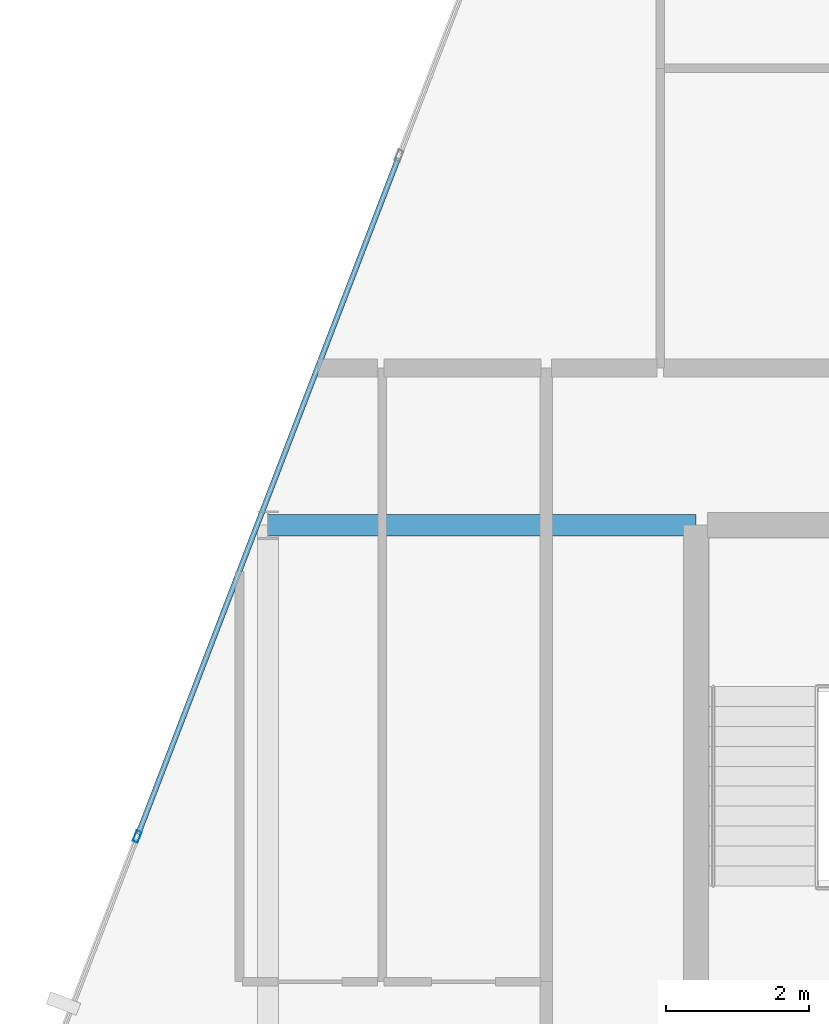
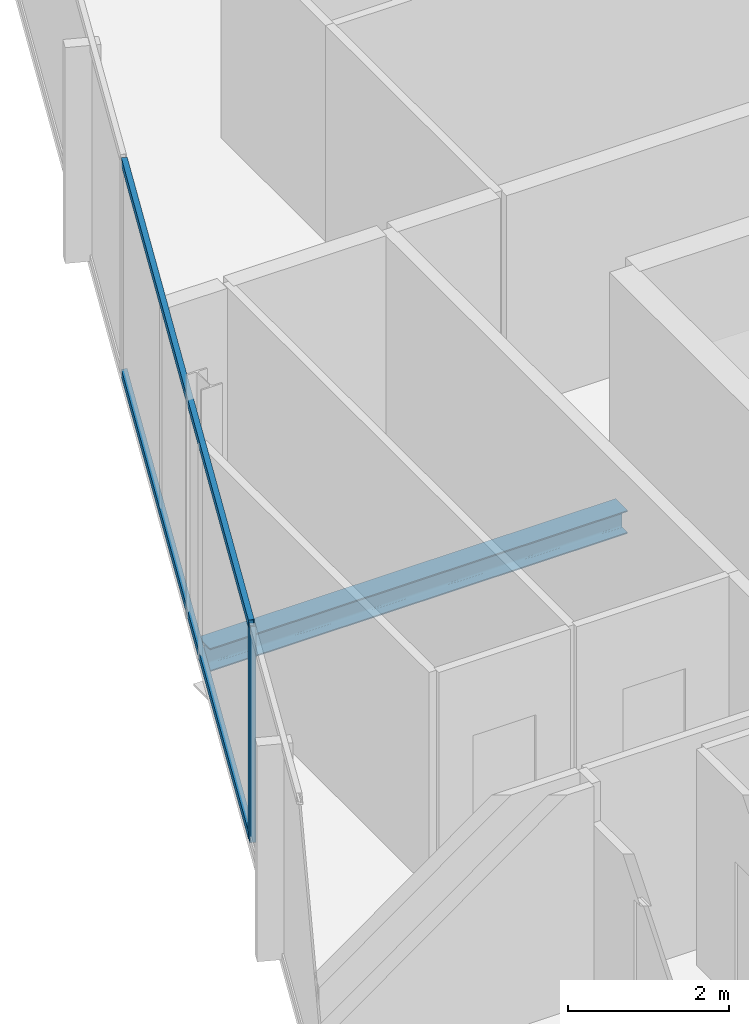
# One storey, part 10 of 27: 3 members, 1 beam, 1 element without a shape of its own.
"""IFC4 building model written with IfcOpenShell, lengths in metres."""

from ifc_helpers import new_model, si_unit, direction, frame, origin, origin_2d, place, context, subcontext, project, spatial, hollow_rectangle, i_section, extrude, material, layer, layer_set, material_profile, profile_set, type_object, element, aggregate, save


model = new_model("IFC4")

# Units and contexts
model_context = context("Model", 3, precision=1e-05, world=origin(), true_north=direction((0.0, 1.0)))
body_context = subcontext(model_context, "Body", "Model", "MODEL_VIEW")
ifc_project = project(units=[si_unit("LENGTHUNIT", "METRE"), si_unit("AREAUNIT", "SQUARE_METRE"), si_unit("VOLUMEUNIT", "CUBIC_METRE"), si_unit("PLANEANGLEUNIT", "RADIAN"), si_unit("MASSUNIT", "GRAM", prefix="KILO")], contexts=[model_context])

# Site, building, storey
site_placement = place(None, origin())
site = spatial("IfcSite", under=ifc_project, at=site_placement, CompositionType="ELEMENT")
building_placement = place(site_placement, origin())
building = spatial("IfcBuilding", under=site, at=building_placement, Name="Keshet Zoharim Tower", CompositionType="ELEMENT")
storey_placement = place(building_placement, frame((0.0, 0.0, 311.0)))
storey = spatial("IfcBuildingStorey", under=building, at=storey_placement, Name="L78", CompositionType="ELEMENT", Elevation=311.0)

# Beam
ifc_material_1 = material(Name="Steel S355", Category="steel")
ifc_material_profile_1 = material_profile(ifc_material_1, i_section(OverallWidth=0.300048828125, OverallDepth=0.35009765625, WebThickness=0.010009765625, FlangeThickness=0.017578125, FilletRadius=0.027099609375, at=origin_2d()), Name="HEA360")
ifc_profile_set_1 = profile_set([ifc_material_profile_1], Name="Steel S355")
beam_type = type_object("IfcBeamType", Name="BM-PRI-HA360", PredefinedType="BEAM", material=ifc_profile_set_1)
beam_placement = place(storey_placement, frame((9.0, 37.89990234375, -0.485107421875), z_axis=(1.0, 0.0, 0.0), x_axis=(0.0, 1.0, 0.0)))
element("IfcBeam", 1, at=beam_placement, inside=storey, type_object=beam_type, Name="L78 Primary Girder X-008", PredefinedType="BEAM", context=body_context, shape_type="SweptSolid", body=[
    extrude(i_section(OverallWidth=0.300048828125, OverallDepth=0.35009765625, WebThickness=0.010009765625, FlangeThickness=0.017578125, FilletRadius=0.027099609375, at=origin_2d()), origin(), (0.0, 0.0, 1.0), 6.0),
])

# Curtain wall, members
ifc_material_2 = material(Name="Aluminium 6063-T6", Category="aluminium")
ifc_layer = layer(ifc_material_2, 0.260009765625)
ifc_layer_set = layer_set([ifc_layer], Name="Aluminium 6063-T6")
curtain_wall_type = type_object("IfcCurtainWallType", Name="CW-SYS-06", PredefinedType="NOTDEFINED", material=ifc_layer_set)
curtain_wall_placement = place(storey_placement, origin())
curtain_wall = element("IfcCurtainWall", 2, at=curtain_wall_placement, inside=storey, type_object=curtain_wall_type, Name="L78 Unitised Curtain Wall 03", PredefinedType="NOTDEFINED")
ifc_material_profile_2 = material_profile(ifc_material_2, hollow_rectangle(XDim=0.074951171875, YDim=0.159912109375, WallThickness=0.00390625, at=origin_2d()), Name="MUL-75x160")
ifc_profile_set_2 = profile_set([ifc_material_profile_2], Name="Aluminium 6063-T6")
member_type_1 = type_object("IfcMemberType", Name="CWM-M15", PredefinedType="MULLION", material=ifc_profile_set_2)
member_1_placement = place(storey_placement, frame((7.1669921875, 33.53466796875, 0.0), z_axis=(0.0, 0.0, 1.0), x_axis=(-0.933341404361, 0.358990003907, 0.0)))
member_1 = element("IfcMember", 3, at=member_1_placement, type_object=member_type_1, Name="CW-06 mullion 2", PredefinedType="MULLION", context=body_context, shape_type="SweptSolid", body=[
    extrude(hollow_rectangle(XDim=0.074951171875, YDim=0.159912109375, WallThickness=0.00390625, at=origin_2d()), origin(), (0.0, 0.0, 1.0), 3.280029296875),
])
ifc_material_profile_3 = material_profile(ifc_material_2, hollow_rectangle(XDim=0.074951171875, YDim=0.1201171875, WallThickness=0.00390625, at=origin_2d()), Name="TRN-75x120")
ifc_profile_set_3 = profile_set([ifc_material_profile_3], Name="Aluminium 6063-T6")
member_type_2 = type_object("IfcMemberType", Name="CWT-T12", PredefinedType="USERDEFINED", material=ifc_profile_set_3)
member_2_placement = place(storey_placement, frame((7.179443359375, 33.5673828125, 0.034912109375), z_axis=(0.359003248899, 0.933336309848, 0.0), x_axis=(-0.933336309848, 0.359003248899, 0.0)))
member_2 = element("IfcMember", 4, at=member_2_placement, type_object=member_type_2, Name="CW-06 transom 2.1", ObjectType="TRANSOM", PredefinedType="USERDEFINED", context=body_context, shape_type="SweptSolid", body=[
    extrude(hollow_rectangle(XDim=0.074951171875, YDim=0.1201171875, WallThickness=0.00390625, at=origin_2d()), origin(), (0.0, 0.0, 1.0), 10.153076171875),
])
member_3_placement = place(storey_placement, frame((7.179443359375, 33.5673828125, 3.2451171875), z_axis=(0.359003248899, 0.933336309848, 0.0), x_axis=(-0.933336309848, 0.359003248899, 0.0)))
member_3 = element("IfcMember", 5, at=member_3_placement, type_object=member_type_2, Name="CW-06 transom 2.2", ObjectType="TRANSOM", PredefinedType="USERDEFINED", context=body_context, shape_type="SweptSolid", body=[
    extrude(hollow_rectangle(XDim=0.074951171875, YDim=0.1201171875, WallThickness=0.00390625, at=origin_2d()), origin(), (0.0, 0.0, 1.0), 10.153076171875),
])
aggregate(curtain_wall, [member_1, member_2, member_3])

save(model, "model.ifc")
